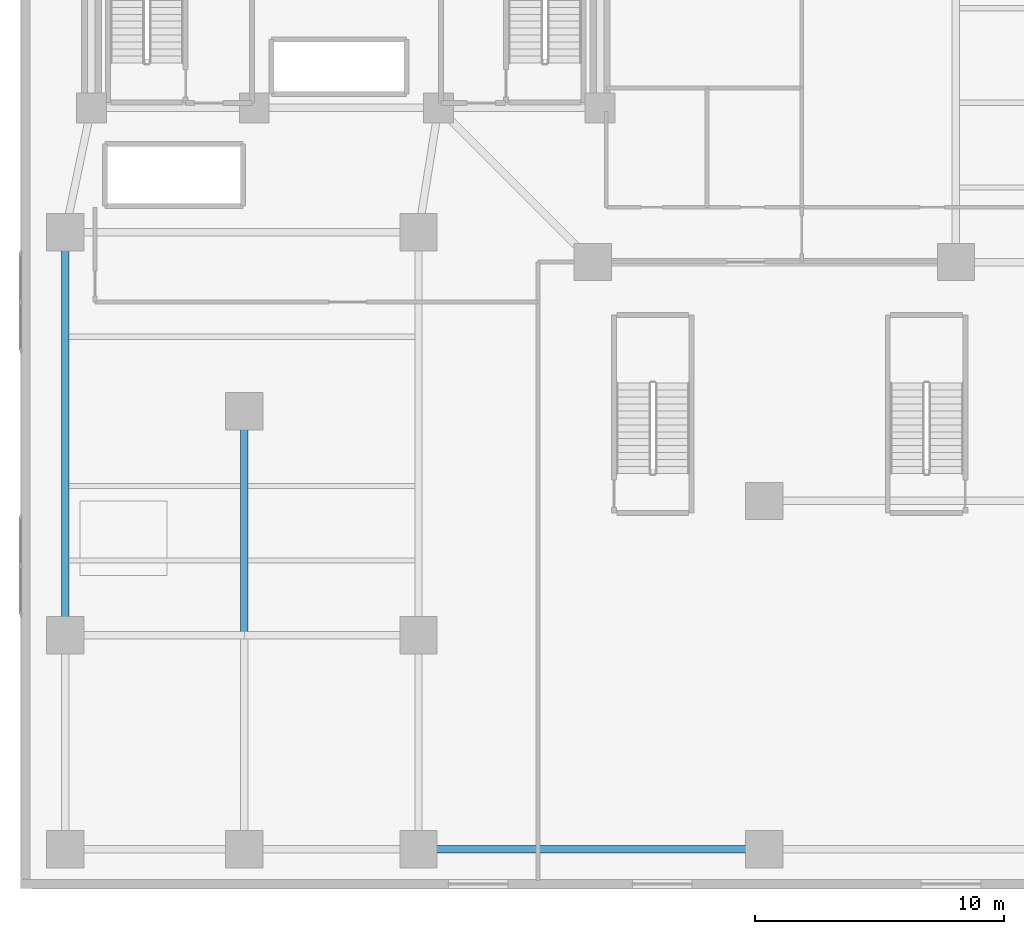
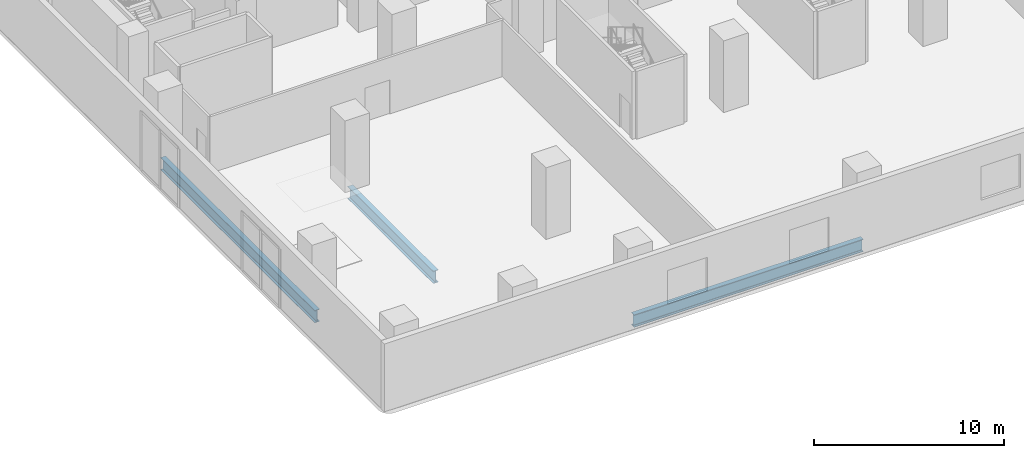
# One storey, part 3 of 14: 3 beams.
"""IFC4 building model written with IfcOpenShell, lengths in metres."""

from ifc_helpers import new_model, si_unit, direction, frame, origin, origin_2d, place, context, subcontext, project, spatial, i_section, extrude, material, material_profile, profile_set, type_object, element, save


model = new_model("IFC4")

# Units and contexts
model_context = context("Model", 3, precision=1e-05, world=origin(), true_north=direction((0.0, 1.0)))
body_context = subcontext(model_context, "Body", "Model", "MODEL_VIEW")
ifc_project = project(units=[si_unit("LENGTHUNIT", "METRE"), si_unit("AREAUNIT", "SQUARE_METRE"), si_unit("VOLUMEUNIT", "CUBIC_METRE"), si_unit("PLANEANGLEUNIT", "RADIAN"), si_unit("MASSUNIT", "GRAM", prefix="KILO")], contexts=[model_context])

# Site, building, storey
site_placement = place(None, origin())
site = spatial("IfcSite", under=ifc_project, at=site_placement, CompositionType="ELEMENT")
building_placement = place(site_placement, origin())
building = spatial("IfcBuilding", under=site, at=building_placement, Name="Kuzgunbayir Cultural Tower", CompositionType="ELEMENT")
storey_placement = place(building_placement, frame((0.0, 0.0, 13.0)))
storey = spatial("IfcBuildingStorey", under=building, at=storey_placement, Name="L03", CompositionType="ELEMENT", Elevation=13.0)

# Beams
ifc_material = material(Name="Steel S355J2", Category="steel")
ifc_material_profile = material_profile(ifc_material, i_section(OverallWidth=0.300048828125, OverallDepth=0.800048828125, WebThickness=0.017578125, FlangeThickness=0.032958984375, FilletRadius=0.030029296875, at=origin_2d()), Name="HEB 800")
ifc_profile_set = profile_set([ifc_material_profile], Name="Steel S355J2")
beam_type = type_object("IfcBeamType", Name="BM-GIR-HEB800", PredefinedType="BEAM", material=ifc_profile_set)
beam_1_placement = place(storey_placement, frame((19.60009765625, 4.0, -0.64990234375), z_axis=(1.0, 0.0, 0.0), x_axis=(0.0, 1.0, 0.0)))
element("IfcBeam", 1, at=beam_1_placement, inside=storey, type_object=beam_type, Name="L03 Podium South Girder 3", PredefinedType="BEAM", context=body_context, shape_type="SweptSolid", body=[
    extrude(i_section(OverallWidth=0.300048828125, OverallDepth=0.800048828125, WebThickness=0.017578125, FlangeThickness=0.032958984375, FilletRadius=0.030029296875, at=origin_2d()), origin(), (0.0, 0.0, 1.0), 13.89990234375),
])
beam_2_placement = place(storey_placement, frame((5.39990234375, 12.60009765625, -0.64990234375), z_axis=(0.0, 1.0, 0.0), x_axis=(-1.0, 0.0, 0.0)))
element("IfcBeam", 2, at=beam_2_placement, inside=storey, type_object=beam_type, Name="L03 Podium Primary Girder 4", PredefinedType="BEAM", context=body_context, shape_type="SweptSolid", body=[
    extrude(i_section(OverallWidth=0.300048828125, OverallDepth=0.800048828125, WebThickness=0.017578125, FlangeThickness=0.032958984375, FilletRadius=0.030029296875, at=origin_2d()), origin(), (0.0, 0.0, 1.0), 16.199951171875),
])
beam_3_placement = place(storey_placement, frame((12.60009765625, 12.60009765625, -0.64990234375), z_axis=(0.0, 1.0, 0.0), x_axis=(-1.0, 0.0, 0.0)))
element("IfcBeam", 3, at=beam_3_placement, inside=storey, type_object=beam_type, Name="L03 Podium Primary Girder 6", PredefinedType="BEAM", context=body_context, shape_type="SweptSolid", body=[
    extrude(i_section(OverallWidth=0.300048828125, OverallDepth=0.800048828125, WebThickness=0.017578125, FlangeThickness=0.032958984375, FilletRadius=0.030029296875, at=origin_2d()), origin(), (0.0, 0.0, 1.0), 9.0),
])

save(model, "model.ifc")
